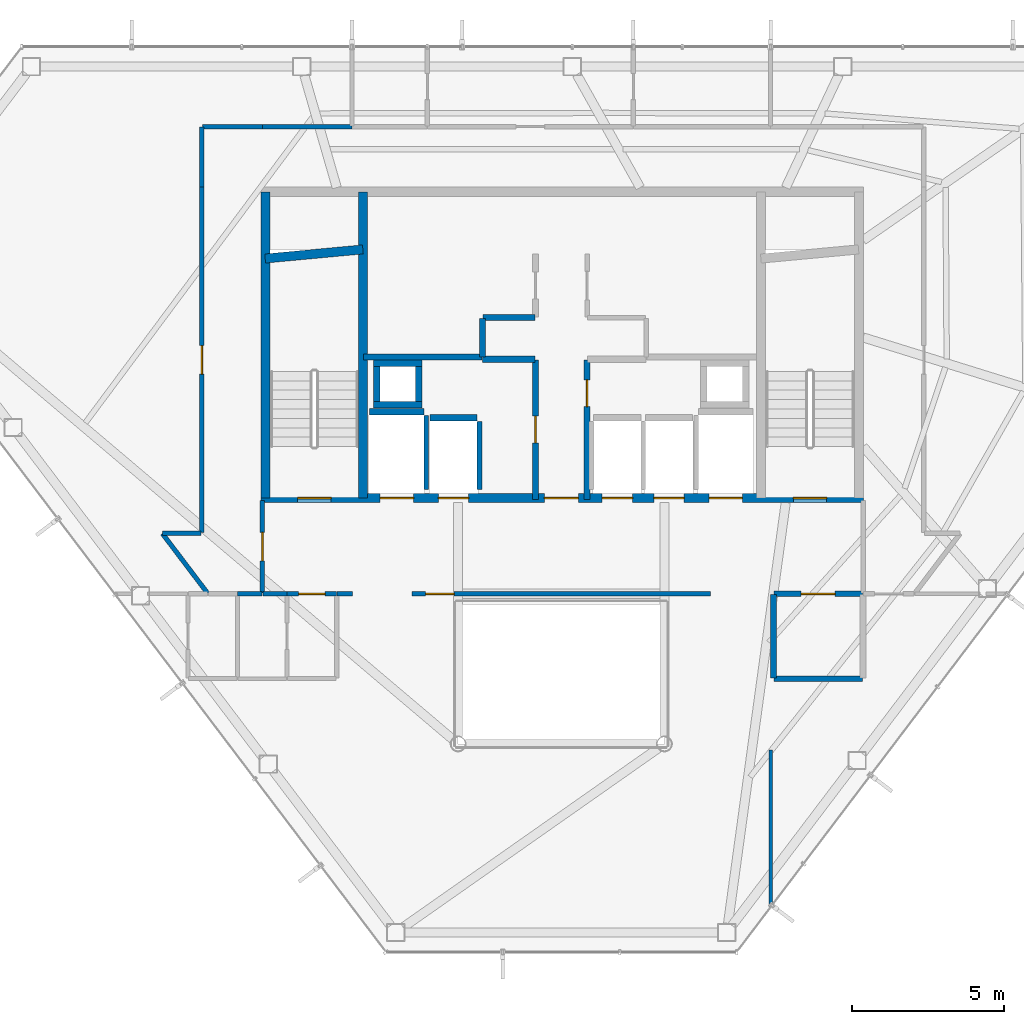
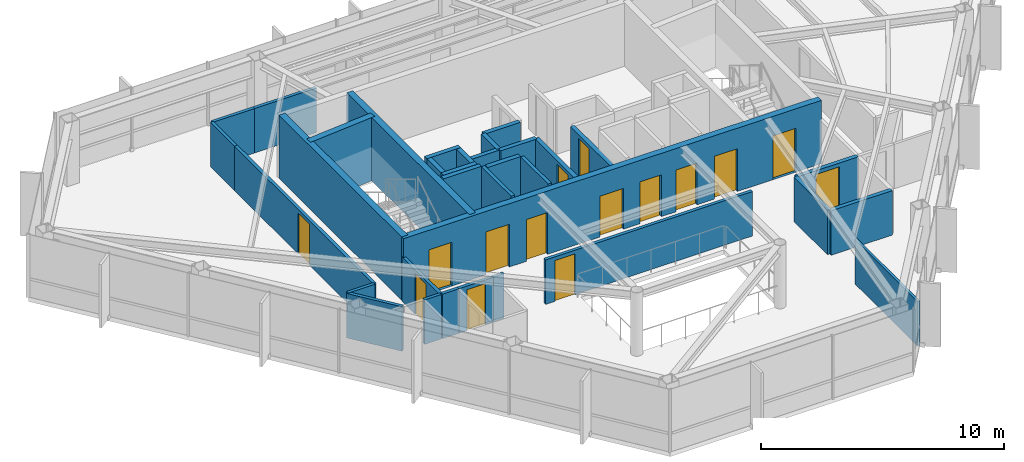
# One storey, part 24 of 27: 34 walls, 15 doors, 15 openings.
"""IFC4 building model written with IfcOpenShell, lengths in metres."""

from ifc_helpers import new_model, si_unit, direction, frame, frame_2d, origin, place, context, subcontext, project, spatial, rectangle, extrude, material, layer, layer_set, type_object, element, fill, save


model = new_model("IFC4")

# Units and contexts
model_context = context("Model", 3, precision=1e-05, world=origin(), true_north=direction((0.0, 1.0)))
body_context = subcontext(model_context, "Body", "Model", "MODEL_VIEW")
ifc_project = project(units=[si_unit("LENGTHUNIT", "METRE"), si_unit("AREAUNIT", "SQUARE_METRE"), si_unit("VOLUMEUNIT", "CUBIC_METRE"), si_unit("PLANEANGLEUNIT", "RADIAN"), si_unit("MASSUNIT", "GRAM", prefix="KILO")], contexts=[model_context])

# Site, building, storey
site_placement = place(None, origin())
site = spatial("IfcSite", under=ifc_project, at=site_placement, CompositionType="ELEMENT")
building_placement = place(site_placement, origin())
building = spatial("IfcBuilding", under=site, at=building_placement, Name="Zarrinselat Tower", CompositionType="ELEMENT")
storey_placement = place(building_placement, frame((0.0, 0.0, 229.159912109375)))
storey = spatial("IfcBuildingStorey", under=building, at=storey_placement, Name="L57", CompositionType="ELEMENT", Elevation=229.159912109375)

# Wall, opening, door
ifc_material_1 = material(Name="Concrete C40/50", Category="concrete")
ifc_layer_1 = layer(ifc_material_1, 0.18994140625)
ifc_layer_set_1 = layer_set([ifc_layer_1], Name="Concrete C40/50")
wall_type_1 = type_object("IfcWallType", Name="WAL-PART-EI120", PredefinedType="PARTITIONING", material=ifc_layer_set_1)
wall_1_placement = place(storey_placement, frame((45.405029296875, 30.14990234375, 0.0), z_axis=(0.0, 0.0, 1.0), x_axis=(1.0, 0.0, 0.0)))
wall_1 = element("IfcWall", 1, at=wall_1_placement, inside=storey, type_object=wall_type_1, Name="L57 Partition Wall 13", PredefinedType="PARTITIONING", context=body_context, shape_type="SweptSolid", body=[
    extrude(rectangle(XDim=2.925048828125, YDim=0.18994140625, at=frame_2d((1.46240234375, 0.0))), origin(), (0.0, 0.0, 1.0), 2.235107421875),
])
opening_1_placement = place(wall_1_placement, frame((0.902587890625, 0.0, 0.0)))
opening_1 = element("IfcOpeningElement", 2, at=opening_1_placement, cuts=wall_1, Name="Opening ID-02", PredefinedType="OPENING", context=body_context, shape_type="SweptSolid", body=[
    extrude(rectangle(XDim=1.1201171875, YDim=2.050048828125, at=frame_2d((0.56005859375, 1.02490234375))), frame((0.0, 0.10498046875, 0.0), z_axis=(0.0, -1.0, 0.0), x_axis=(1.0, 0.0, 0.0)), (0.0, 0.0, 1.0), 0.2099609375),
])
ifc_material_2 = material(Name="Steel S355J2", Category="steel")
door_type_1 = type_object("IfcDoorType", Name="DR-INT-FD60-W", OperationType="NOTDEFINED", PredefinedType="DOOR", material=ifc_material_2)
door_1_placement = place(opening_1_placement, origin())
door_1 = element("IfcDoor", 3, at=door_1_placement, inside=storey, type_object=door_type_1, Name="L57 Interior Door P13", OperationType="SINGLE_SWING_RIGHT", OverallHeight=2.050048828125, OverallWidth=1.1201171875, PredefinedType="DOOR", context=body_context, shape_type="SweptSolid", body=[
    extrude(rectangle(XDim=1.1201171875, YDim=2.050048828125, at=frame_2d((0.56005859375, 1.02490234375))), frame((0.0, 0.02490234375, 0.0), z_axis=(0.0, -1.0, 0.0), x_axis=(1.0, 0.0, 0.0)), (0.0, 0.0, 1.0), 0.050048828125),
])
fill(opening_1, door_1)

# Walls
wall_2_placement = place(storey_placement, frame((45.419921875, 27.35009765625, 0.0), z_axis=(0.0, 0.0, 1.0), x_axis=(1.0, 0.0, 0.0)))
element("IfcWall", 4, at=wall_2_placement, inside=storey, type_object=wall_type_1, Name="L57 Partition Wall 20", PredefinedType="PARTITIONING", context=body_context, shape_type="SweptSolid", body=[
    extrude(rectangle(XDim=2.91015625, YDim=0.18994140625, at=frame_2d((1.455078125, 0.0))), origin(), (0.0, 0.0, 1.0), 2.235107421875),
])
wall_3_placement = place(storey_placement, frame((45.39990234375, 27.3701171875, 0.0), z_axis=(0.0, 0.0, 1.0), x_axis=(0.0, 1.0, 0.0)))
element("IfcWall", 5, at=wall_3_placement, inside=storey, type_object=wall_type_1, Name="L57 Partition Wall 21", PredefinedType="PARTITIONING", context=body_context, shape_type="SweptSolid", body=[
    extrude(rectangle(XDim=2.759765625, YDim=0.18994140625, at=frame_2d((1.3798828125, 0.0))), origin(), (0.0, 0.0, 1.0), 2.235107421875),
])

# Wall, opening, door
ifc_material_3 = material(Name="Fire-Rated Gypsum Board Partition", Category="gypsum")
ifc_layer_2 = layer(ifc_material_3, 0.14990234375)
ifc_layer_set_2 = layer_set([ifc_layer_2], Name="Fire-Rated Gypsum Board Partition")
wall_type_2 = type_object("IfcWallType", Name="WAL-PART-EI60", PredefinedType="PARTITIONING", material=ifc_layer_set_2)
wall_4_placement = place(storey_placement, frame((28.550048828125, 30.169921875, 0.0), z_axis=(0.0, 0.0, 1.0), x_axis=(0.0, 1.0, 0.0)))
wall_4 = element("IfcWall", 6, at=wall_4_placement, inside=storey, type_object=wall_type_2, Name="L57 Partition Wall 14", PredefinedType="PARTITIONING", context=body_context, shape_type="SweptSolid", body=[
    extrude(rectangle(XDim=3.06005859375, YDim=0.14990234375, at=frame_2d((1.530029296875, 0.0))), origin(), (0.0, 0.0, 1.0), 2.235107421875),
])
opening_2_placement = place(wall_4_placement, frame((1.06005859375, 0.0, 0.0)))
opening_2 = element("IfcOpeningElement", 7, at=opening_2_placement, cuts=wall_4, Name="Opening ID-04", PredefinedType="OPENING", context=body_context, shape_type="SweptSolid", body=[
    extrude(rectangle(XDim=0.93994140625, YDim=2.050048828125, at=frame_2d((0.469970703125, 1.02490234375))), frame((0.0, 0.0849609375, 0.0), z_axis=(0.0, -1.0, 0.0), x_axis=(1.0, 0.0, 0.0)), (0.0, 0.0, 1.0), 0.169921875),
])
ifc_material_4 = material(Name="Fire-Rated Gypsum Board Partition")
door_type_2 = type_object("IfcDoorType", Name="DR-INT-FD30-ENT", OperationType="NOTDEFINED", PredefinedType="DOOR", material=ifc_material_4)
door_2_placement = place(opening_2_placement, origin())
door_2 = element("IfcDoor", 8, at=door_2_placement, inside=storey, type_object=door_type_2, Name="L57 Interior Door P14", OperationType="SINGLE_SWING_LEFT", OverallHeight=2.050048828125, OverallWidth=0.93994140625, PredefinedType="DOOR", context=body_context, shape_type="SweptSolid", body=[
    extrude(rectangle(XDim=0.93994140625, YDim=2.050048828125, at=frame_2d((0.469970703125, 1.02490234375))), frame((0.0, 0.02490234375, 0.0), z_axis=(0.0, -1.0, 0.0), x_axis=(1.0, 0.0, 0.0)), (0.0, 0.0, 1.0), 0.050048828125),
])
fill(opening_2, door_2)

wall_5_placement = place(storey_placement, frame((29.364990234375, 30.14990234375, 0.0), z_axis=(0.0, 0.0, 1.0), x_axis=(1.0, 0.0, 0.0)))
wall_5 = element("IfcWall", 9, at=wall_5_placement, inside=storey, type_object=wall_type_2, Name="L57 Partition Wall 16", PredefinedType="PARTITIONING", context=body_context, shape_type="SweptSolid", body=[
    extrude(rectangle(XDim=1.630126953125, YDim=0.14990234375, at=frame_2d((0.81494140625, 0.0))), origin(), (0.0, 0.0, 1.0), 2.235107421875),
])
opening_3_placement = place(wall_5_placement, frame((0.375, 0.0, 0.0)))
opening_3 = element("IfcOpeningElement", 10, at=opening_3_placement, cuts=wall_5, Name="Opening ID-03", PredefinedType="OPENING", context=body_context, shape_type="SweptSolid", body=[
    extrude(rectangle(XDim=0.8798828125, YDim=2.050048828125, at=frame_2d((0.43994140625, 1.02490234375))), frame((0.0, 0.0849609375, 0.0), z_axis=(0.0, -1.0, 0.0), x_axis=(1.0, 0.0, 0.0)), (0.0, 0.0, 1.0), 0.169921875),
])
ifc_material_5 = material(Name="Steel S355J2", Category="steel")
door_type_3 = type_object("IfcDoorType", Name="DR-INT-FD60-S", OperationType="NOTDEFINED", PredefinedType="DOOR", material=ifc_material_5)
door_3_placement = place(opening_3_placement, origin())
door_3 = element("IfcDoor", 11, at=door_3_placement, inside=storey, type_object=door_type_3, Name="L57 Interior Door P16", OperationType="SINGLE_SWING_RIGHT", OverallHeight=2.050048828125, OverallWidth=0.8798828125, PredefinedType="DOOR", context=body_context, shape_type="SweptSolid", body=[
    extrude(rectangle(XDim=0.8798828125, YDim=2.050048828125, at=frame_2d((0.43994140625, 1.02490234375))), frame((0.0, 0.02490234375, 0.0), z_axis=(0.0, -1.0, 0.0), x_axis=(1.0, 0.0, 0.0)), (0.0, 0.0, 1.0), 0.050048828125),
])
fill(opening_3, door_3)

# Wall
wall_6_placement = place(storey_placement, frame((28.570068359375, 30.14990234375, 0.0), z_axis=(0.0, 0.0, 1.0), x_axis=(1.0, 0.0, 0.0)))
element("IfcWall", 12, at=wall_6_placement, inside=storey, type_object=wall_type_2, Name="L57 Partition Wall 17", PredefinedType="PARTITIONING", context=body_context, shape_type="SweptSolid", body=[
    extrude(rectangle(XDim=0.784912109375, YDim=0.14990234375, at=frame_2d((0.392578125, 0.0))), origin(), (0.0, 0.0, 1.0), 2.235107421875),
])

# Wall, opening, door
wall_7_placement = place(storey_placement, frame((33.485107421875, 30.14990234375, 0.0), z_axis=(0.0, 0.0, 1.0), x_axis=(1.0, 0.0, 0.0)))
wall_7 = element("IfcWall", 13, at=wall_7_placement, inside=storey, type_object=wall_type_2, Name="L57 Partition Wall 18", PredefinedType="PARTITIONING", context=body_context, shape_type="SweptSolid", body=[
    extrude(rectangle(XDim=9.829833984375, YDim=0.14990234375, at=frame_2d((4.9150390625, 0.0))), origin(), (0.0, 0.0, 1.0), 2.235107421875),
])
opening_4_placement = place(wall_7_placement, frame((0.445068359375, 0.0, 0.0)))
opening_4 = element("IfcOpeningElement", 14, at=opening_4_placement, cuts=wall_7, Name="Opening ID-04", PredefinedType="OPENING", context=body_context, shape_type="SweptSolid", body=[
    extrude(rectangle(XDim=0.93994140625, YDim=2.050048828125, at=frame_2d((0.469970703125, 1.02490234375))), frame((0.0, 0.0849609375, 0.0), z_axis=(0.0, -1.0, 0.0), x_axis=(1.0, 0.0, 0.0)), (0.0, 0.0, 1.0), 0.169921875),
])
door_4_placement = place(opening_4_placement, origin())
door_4 = element("IfcDoor", 15, at=door_4_placement, inside=storey, type_object=door_type_2, Name="L57 Interior Door P18", OperationType="SINGLE_SWING_LEFT", OverallHeight=2.050048828125, OverallWidth=0.93994140625, PredefinedType="DOOR", context=body_context, shape_type="SweptSolid", body=[
    extrude(rectangle(XDim=0.93994140625, YDim=2.050048828125, at=frame_2d((0.469970703125, 1.02490234375))), frame((0.0, 0.02490234375, 0.0), z_axis=(0.0, -1.0, 0.0), x_axis=(1.0, 0.0, 0.0)), (0.0, 0.0, 1.0), 0.050048828125),
])
fill(opening_4, door_4)

# Walls
wall_8_placement = place(storey_placement, frame((31.0048828125, 30.14990234375, 0.0), z_axis=(0.0, 0.0, 1.0), x_axis=(1.0, 0.0, 0.0)))
element("IfcWall", 16, at=wall_8_placement, inside=storey, type_object=wall_type_2, Name="L57 Partition Wall 19", PredefinedType="PARTITIONING", context=body_context, shape_type="SweptSolid", body=[
    extrude(rectangle(XDim=0.510009765625, YDim=0.14990234375, at=frame_2d((0.2548828125, 0.0))), origin(), (0.0, 0.0, 1.0), 2.235107421875),
])
wall_9_placement = place(storey_placement, frame((27.735107421875, 30.14990234375, 0.0), z_axis=(0.0, 0.0, 1.0), x_axis=(1.0, 0.0, 0.0)))
element("IfcWall", 17, at=wall_9_placement, inside=storey, type_object=wall_type_2, Name="L57 Partition Wall 24", PredefinedType="PARTITIONING", context=body_context, shape_type="SweptSolid", body=[
    extrude(rectangle(XDim=0.794921875, YDim=0.14990234375, at=frame_2d((0.3974609375, 0.0))), origin(), (0.0, 0.0, 1.0), 2.235107421875),
])
wall_10_placement = place(storey_placement, frame((25.251708984375, 32.134033203125, 0.0), z_axis=(0.0, 0.0, 1.0), x_axis=(0.603869110647, -0.797083494502, 0.0)))
element("IfcWall", 18, at=wall_10_placement, inside=storey, type_object=wall_type_2, Name="L57 Partition Wall 26", PredefinedType="PARTITIONING", context=body_context, shape_type="SweptSolid", body=[
    extrude(rectangle(XDim=2.468994140625, YDim=0.14990234375, at=frame_2d((1.234375, 0.0))), origin(), (0.0, 0.0, 1.0), 2.235107421875),
])
wall_11_placement = place(storey_placement, frame((25.259521484375, 32.14990234375, 0.0), z_axis=(0.0, 0.0, 1.0), x_axis=(1.0, 0.0, 0.0)))
element("IfcWall", 19, at=wall_11_placement, inside=storey, type_object=wall_type_2, Name="L57 Partition Wall 27", PredefinedType="PARTITIONING", context=body_context, shape_type="SweptSolid", body=[
    extrude(rectangle(XDim=1.2705078125, YDim=0.14990234375, at=frame_2d((0.63525390625, 0.0))), origin(), (0.0, 0.0, 1.0), 2.235107421875),
])

# Wall, opening, door
wall_12_placement = place(storey_placement, frame((26.550048828125, 32.169921875, 0.0), z_axis=(0.0, 0.0, 1.0), x_axis=(0.0, 1.0, 0.0)))
wall_12 = element("IfcWall", 20, at=wall_12_placement, inside=storey, type_object=wall_type_2, Name="L57 Partition Wall 28", PredefinedType="PARTITIONING", context=body_context, shape_type="SweptSolid", body=[
    extrude(rectangle(XDim=11.380126953125, YDim=0.14990234375, at=frame_2d((5.68994140625, 0.0))), origin(), (0.0, 0.0, 1.0), 2.235107421875),
])
opening_5_placement = place(wall_12_placement, frame((5.219970703125, 0.0, 0.0)))
opening_5 = element("IfcOpeningElement", 21, at=opening_5_placement, cuts=wall_12, Name="Opening ID-04", PredefinedType="OPENING", context=body_context, shape_type="SweptSolid", body=[
    extrude(rectangle(XDim=0.93994140625, YDim=2.050048828125, at=frame_2d((0.469970703125, 1.02490234375))), frame((0.0, 0.0849609375, 0.0), z_axis=(0.0, -1.0, 0.0), x_axis=(1.0, 0.0, 0.0)), (0.0, 0.0, 1.0), 0.169921875),
])
door_5_placement = place(opening_5_placement, origin())
door_5 = element("IfcDoor", 22, at=door_5_placement, inside=storey, type_object=door_type_2, Name="L57 Interior Door P28", OperationType="SINGLE_SWING_LEFT", OverallHeight=2.050048828125, OverallWidth=0.93994140625, PredefinedType="DOOR", context=body_context, shape_type="SweptSolid", body=[
    extrude(rectangle(XDim=0.93994140625, YDim=2.050048828125, at=frame_2d((0.469970703125, 1.02490234375))), frame((0.0, 0.02490234375, 0.0), z_axis=(0.0, -1.0, 0.0), x_axis=(1.0, 0.0, 0.0)), (0.0, 0.0, 1.0), 0.050048828125),
])
fill(opening_5, door_5)

# Walls
for number, where, z_axis, x_axis, name in (
    (23, (26.550048828125, 43.550048828125, 0.0), (0.0, 0.0, 1.0), (0.0, 1.0, 0.0), "L57 Partition Wall 29"),
    (24, (26.570068359375, 45.550048828125, 0.0), (0.0, 0.0, 1.0), (1.0, 0.0, 0.0), "L57 Partition Wall 30"),
):
    element("IfcWall", number, at=place(storey_placement, frame(where, z_axis=z_axis, x_axis=x_axis)), inside=storey, type_object=wall_type_2, Name=name, PredefinedType="PARTITIONING", context=body_context, shape_type="SweptSolid", body=[
        extrude(rectangle(XDim=1.97998046875, YDim=0.14990234375, at=frame_2d((0.989990234375, 0.0))), origin(), (0.0, 0.0, 1.0), 2.235107421875),
    ])
wall_13_placement = place(storey_placement, frame((28.550048828125, 45.550048828125, 0.0), z_axis=(0.0, 0.0, 1.0), x_axis=(1.0, 0.0, 0.0)))
element("IfcWall", 25, at=wall_13_placement, inside=storey, type_object=wall_type_2, Name="L57 Partition Wall 31", PredefinedType="PARTITIONING", context=body_context, shape_type="SweptSolid", body=[
    extrude(rectangle(XDim=2.945068359375, YDim=0.14990234375, at=frame_2d((1.47265625, 0.0))), origin(), (0.0, 0.0, 1.0), 2.235107421875),
])

# Wall, opening, door
ifc_material_6 = material(Name="Concrete C40/50", Category="concrete")
ifc_layer_3 = layer(ifc_material_6, 0.199951171875)
ifc_layer_set_3 = layer_set([ifc_layer_3], Name="Concrete C40/50")
wall_type_3 = type_object("IfcWallType", Name="WAL-PART-PLANT", PredefinedType="PARTITIONING", material=ifc_layer_set_3)
wall_14_placement = place(storey_placement, frame((37.550048828125, 33.264892578125, 0.0), z_axis=(0.0, 0.0, 1.0), x_axis=(0.0, 1.0, 0.0)))
wall_14 = element("IfcWall", 26, at=wall_14_placement, inside=storey, type_object=wall_type_3, Name="L57 Partition Wall 1", PredefinedType="PARTITIONING", context=body_context, shape_type="SweptSolid", body=[
    extrude(rectangle(XDim=4.59521484375, YDim=0.199951171875, at=frame_2d((2.297607421875, 0.0))), origin(), (0.0, 0.0, 1.0), 2.235107421875),
])
opening_6_placement = place(wall_14_placement, frame((1.857421875, 0.0, 0.0)))
opening_6 = element("IfcOpeningElement", 27, at=opening_6_placement, cuts=wall_14, Name="Opening ID-03", PredefinedType="OPENING", context=body_context, shape_type="SweptSolid", body=[
    extrude(rectangle(XDim=0.8798828125, YDim=2.050048828125, at=frame_2d((0.43994140625, 1.02490234375))), frame((0.0, 0.10986328125, 0.0), z_axis=(0.0, -1.0, 0.0), x_axis=(1.0, 0.0, 0.0)), (0.0, 0.0, 1.0), 0.219970703125),
])
door_6_placement = place(opening_6_placement, origin())
door_6 = element("IfcDoor", 28, at=door_6_placement, inside=storey, type_object=door_type_3, Name="L57 Interior Door P1", OperationType="SINGLE_SWING_RIGHT", OverallHeight=2.050048828125, OverallWidth=0.8798828125, PredefinedType="DOOR", context=body_context, shape_type="SweptSolid", body=[
    extrude(rectangle(XDim=0.8798828125, YDim=2.050048828125, at=frame_2d((0.43994140625, 1.02490234375))), frame((0.0, 0.02490234375, 0.0), z_axis=(0.0, -1.0, 0.0), x_axis=(1.0, 0.0, 0.0)), (0.0, 0.0, 1.0), 0.050048828125),
])
fill(opening_6, door_6)

# Walls
wall_15_placement = place(storey_placement, frame((35.800048828125, 37.8798828125, 0.0), z_axis=(0.0, 0.0, 1.0), x_axis=(1.0, 0.0, 0.0)))
element("IfcWall", 29, at=wall_15_placement, inside=storey, type_object=wall_type_3, Name="L57 Partition Wall 2", PredefinedType="PARTITIONING", context=body_context, shape_type="SweptSolid", body=[
    extrude(rectangle(XDim=1.72998046875, YDim=0.199951171875, at=frame_2d((0.864990234375, 0.0))), origin(), (0.0, 0.0, 1.0), 2.235107421875),
])
wall_16_placement = place(storey_placement, frame((35.800048828125, 37.955078125, 0.0), z_axis=(0.0, 0.0, 1.0), x_axis=(0.0, 1.0, 0.0)))
element("IfcWall", 30, at=wall_16_placement, inside=storey, type_object=wall_type_3, Name="L57 Partition Wall 3", PredefinedType="PARTITIONING", context=body_context, shape_type="SweptSolid", body=[
    extrude(rectangle(XDim=1.27490234375, YDim=0.199951171875, at=frame_2d((0.637451171875, 0.0))), origin(), (0.0, 0.0, 1.0), 2.235107421875),
])
wall_17_placement = place(storey_placement, frame((35.820068359375, 39.25, 0.0), z_axis=(0.0, 0.0, 1.0), x_axis=(1.0, 0.0, 0.0)))
element("IfcWall", 31, at=wall_17_placement, inside=storey, type_object=wall_type_3, Name="L57 Partition Wall 4", PredefinedType="PARTITIONING", context=body_context, shape_type="SweptSolid", body=[
    extrude(rectangle(XDim=1.7099609375, YDim=0.199951171875, at=frame_2d((0.85498046875, 0.0))), origin(), (0.0, 0.0, 1.0), 2.235107421875),
])

# Wall, opening, door
wall_18_placement = place(storey_placement, frame((39.25, 33.264892578125, 0.0), z_axis=(0.0, 0.0, 1.0), x_axis=(0.0, 1.0, 0.0)))
wall_18 = element("IfcWall", 32, at=wall_18_placement, inside=storey, type_object=wall_type_3, Name="L57 Partition Wall 7", PredefinedType="PARTITIONING", context=body_context, shape_type="SweptSolid", body=[
    extrude(rectangle(XDim=4.59521484375, YDim=0.199951171875, at=frame_2d((2.297607421875, 0.0))), origin(), (0.0, 0.0, 1.0), 2.235107421875),
])
opening_7_placement = place(wall_18_placement, frame((3.0576171875, 0.0, 0.0)))
opening_7 = element("IfcOpeningElement", 33, at=opening_7_placement, cuts=wall_18, Name="Opening ID-03", PredefinedType="OPENING", context=body_context, shape_type="SweptSolid", body=[
    extrude(rectangle(XDim=0.8798828125, YDim=2.050048828125, at=frame_2d((0.43994140625, 1.02490234375))), frame((0.0, 0.10986328125, 0.0), z_axis=(0.0, -1.0, 0.0), x_axis=(1.0, 0.0, 0.0)), (0.0, 0.0, 1.0), 0.219970703125),
])
door_7_placement = place(opening_7_placement, origin())
door_7 = element("IfcDoor", 34, at=door_7_placement, inside=storey, type_object=door_type_3, Name="L57 Interior Door P7", OperationType="SINGLE_SWING_RIGHT", OverallHeight=2.050048828125, OverallWidth=0.8798828125, PredefinedType="DOOR", context=body_context, shape_type="SweptSolid", body=[
    extrude(rectangle(XDim=0.8798828125, YDim=2.050048828125, at=frame_2d((0.43994140625, 1.02490234375))), frame((0.0, 0.02490234375, 0.0), z_axis=(0.0, -1.0, 0.0), x_axis=(1.0, 0.0, 0.0)), (0.0, 0.0, 1.0), 0.050048828125),
])
fill(opening_7, door_7)

# Walls
wall_19_placement = place(storey_placement, frame((31.885009765625, 37.949951171875, 0.0), z_axis=(0.0, 0.0, 1.0), x_axis=(1.0, 0.0, 0.0)))
element("IfcWall", 35, at=wall_19_placement, inside=storey, type_object=wall_type_3, Name="L57 Partition Wall 11", PredefinedType="PARTITIONING", context=body_context, shape_type="SweptSolid", body=[
    extrude(rectangle(XDim=3.89501953125, YDim=0.199951171875, at=frame_2d((1.947509765625, 0.0))), origin(), (0.0, 0.0, 1.0), 2.235107421875),
])
ifc_material_7 = material(Name="Fire-Rated Gypsum Board Partition", Category="gypsum")
ifc_layer_4 = layer(ifc_material_7, 0.1201171875)
ifc_layer_set_4 = layer_set([ifc_layer_4], Name="Fire-Rated Gypsum Board Partition")
wall_type_4 = type_object("IfcWallType", Name="WAL-PART-STD", PredefinedType="PARTITIONING", material=ifc_layer_set_4)
wall_20_placement = place(storey_placement, frame((45.300048828125, 19.827392578125, 0.0), z_axis=(0.0, 0.0, 1.0), x_axis=(0.0, 1.0, 0.0)))
element("IfcWall", 36, at=wall_20_placement, inside=storey, type_object=wall_type_4, Name="L57 Partition Wall 49", PredefinedType="PARTITIONING", context=body_context, shape_type="SweptSolid", body=[
    extrude(rectangle(XDim=5.172607421875, YDim=0.1201171875, at=frame_2d((2.58642578125, 0.0))), origin(), (0.0, 0.0, 1.0), 2.235107421875),
])
ifc_material_8 = material(Name="Concrete C40/50", Category="concrete")
ifc_layer_5 = layer(ifc_material_8, 0.2099609375)
ifc_layer_set_5 = layer_set([ifc_layer_5], Name="Concrete C40/50")
wall_type_5 = type_object("IfcWallType", Name="WAL-SHAFT-210", PredefinedType="SOLIDWALL", material=ifc_layer_set_5)
wall_21_placement = place(storey_placement, frame((32.080078125, 36.155029296875, 0.0), z_axis=(0.0, 0.0, 1.0), x_axis=(1.0, 0.0, 0.0)))
element("IfcWall", 37, at=wall_21_placement, inside=storey, type_object=wall_type_5, Name="L57 Lift FFL1 North Shaft Wall", PredefinedType="SOLIDWALL", context=body_context, shape_type="SweptSolid", body=[
    extrude(rectangle(XDim=1.7998046875, YDim=0.2099609375, at=frame_2d((0.89990234375, 0.0))), origin(), (0.0, 0.0, 1.0), 3.18017578125),
])
wall_22_placement = place(storey_placement, frame((33.949951171875, 33.580078125, 0.0), z_axis=(0.0, 0.0, 1.0), x_axis=(0.0, 1.0, 0.0)))
element("IfcWall", 38, at=wall_22_placement, inside=storey, type_object=wall_type_5, Name="L57 Lift FFL1 E Shaft Wall", PredefinedType="SOLIDWALL", context=body_context, shape_type="SweptSolid", body=[
    extrude(rectangle(XDim=2.449951171875, YDim=0.159912109375, at=frame_2d((1.22509765625, 0.0))), origin(), (0.0, 0.0, 1.0), 3.18017578125),
])
wall_23_placement = place(storey_placement, frame((34.070068359375, 35.955078125, 0.0), z_axis=(0.0, 0.0, 1.0), x_axis=(1.0, 0.0, 0.0)))
element("IfcWall", 39, at=wall_23_placement, inside=storey, type_object=wall_type_5, Name="L57 Lift PL10 North Shaft Wall", PredefinedType="SOLIDWALL", context=body_context, shape_type="SweptSolid", body=[
    extrude(rectangle(XDim=1.559814453125, YDim=0.2099609375, at=frame_2d((0.77978515625, 0.0))), origin(), (0.0, 0.0, 1.0), 3.18017578125),
])
wall_24_placement = place(storey_placement, frame((35.699951171875, 33.580078125, 0.0), z_axis=(0.0, 0.0, 1.0), x_axis=(0.0, 1.0, 0.0)))
element("IfcWall", 40, at=wall_24_placement, inside=storey, type_object=wall_type_5, Name="L57 Lift PL10 E Shaft Wall", PredefinedType="SOLIDWALL", context=body_context, shape_type="SweptSolid", body=[
    extrude(rectangle(XDim=2.25, YDim=0.159912109375, at=frame_2d((1.125, 0.0))), origin(), (0.0, 0.0, 1.0), 3.18017578125),
])
for number, where, z_axis, x_axis, name in (
    (41, (32.2099609375, 36.375, 0.0), (0.0, 0.0, 1.0), (1.0, 0.0, 0.0), "L57 Core Riser RSR-W S Shaft Wall"),
    (42, (32.2099609375, 37.7451171875, 0.0), (0.0, 0.0, 1.0), (1.0, 0.0, 0.0), "L57 Core Riser RSR-W N Shaft Wall"),
):
    element("IfcWall", number, at=place(storey_placement, frame(where, z_axis=z_axis, x_axis=x_axis)), inside=storey, type_object=wall_type_5, Name=name, PredefinedType="SOLIDWALL", context=body_context, shape_type="SweptSolid", body=[
        extrude(rectangle(XDim=1.60009765625, YDim=0.2099609375, at=frame_2d((0.800048828125, 0.0))), origin(), (0.0, 0.0, 1.0), 3.18017578125),
    ])
for number, where, z_axis, x_axis, name in (
    (43, (32.31494140625, 36.485107421875, 0.0), (0.0, 0.0, 1.0), (0.0, 1.0, 0.0), "L57 Core Riser RSR-W W Shaft Wall"),
    (44, (33.705078125, 36.485107421875, 0.0), (0.0, 0.0, 1.0), (0.0, 1.0, 0.0), "L57 Core Riser RSR-W E Shaft Wall"),
):
    element("IfcWall", number, at=place(storey_placement, frame(where, z_axis=z_axis, x_axis=x_axis)), inside=storey, type_object=wall_type_5, Name=name, PredefinedType="SOLIDWALL", context=body_context, shape_type="SweptSolid", body=[
        extrude(rectangle(XDim=1.14990234375, YDim=0.2099609375, at=frame_2d((0.574951171875, 0.0))), origin(), (0.0, 0.0, 1.0), 3.18017578125),
    ])

# Wall, openings, doors
ifc_material_9 = material(Name="Concrete C40/50", Category="concrete")
ifc_layer_6 = layer(ifc_material_9, 0.300048828125)
ifc_layer_set_6 = layer_set([ifc_layer_6], Name="Concrete C40/50")
wall_type_6 = type_object("IfcWallType", Name="WAL-SHEAR-300", PredefinedType="SHEAR", material=ifc_layer_set_6)
wall_25_placement = place(storey_placement, frame((28.5, 33.300048828125, 0.0), z_axis=(0.0, 0.0, 1.0), x_axis=(1.0, 0.0, 0.0)))
wall_25 = element("IfcWall", 45, at=wall_25_placement, inside=storey, type_object=wall_type_6, Name="L57 South Core Shear Wall", PredefinedType="SHEAR", context=body_context, shape_type="SweptSolid", body=[
    extrude(rectangle(XDim=19.860107421875, YDim=0.300048828125, at=frame_2d((9.93017578125, 0.0))), origin(), (0.0, 0.0, 1.0), 3.18017578125),
])
opening_8_placement = place(wall_25_placement, frame((3.929931640625, 0.0, 0.0)))
opening_8 = element("IfcOpeningElement", 46, at=opening_8_placement, cuts=wall_25, Name="Opening LD-FFL1", PredefinedType="OPENING", context=body_context, shape_type="SweptSolid", body=[
    extrude(rectangle(XDim=1.10009765625, YDim=2.14990234375, at=frame_2d((0.550048828125, 1.074951171875))), frame((0.0, 0.159912109375, 0.0), z_axis=(0.0, -1.0, 0.0), x_axis=(1.0, 0.0, 0.0)), (0.0, 0.0, 1.0), 0.320068359375),
])
opening_9_placement = place(wall_25_placement, frame((14.77001953125, 0.0, 0.0)))
opening_9 = element("IfcOpeningElement", 47, at=opening_9_placement, cuts=wall_25, Name="Opening LD-FFL2", PredefinedType="OPENING", context=body_context, shape_type="SweptSolid", body=[
    extrude(rectangle(XDim=1.10009765625, YDim=2.14990234375, at=frame_2d((0.550048828125, 1.074951171875))), frame((0.0, 0.159912109375, 0.0), z_axis=(0.0, -1.0, 0.0), x_axis=(1.0, 0.0, 0.0)), (0.0, 0.0, 1.0), 0.320068359375),
])
opening_10_placement = place(wall_25_placement, frame((11.25, 0.0, 0.0)))
opening_10 = element("IfcOpeningElement", 48, at=opening_10_placement, cuts=wall_25, Name="Opening LD-PL8", PredefinedType="OPENING", context=body_context, shape_type="SweptSolid", body=[
    extrude(rectangle(XDim=1.0, YDim=2.10009765625, at=frame_2d((0.5, 1.050048828125))), frame((0.0, 0.159912109375, 0.0), z_axis=(0.0, -1.0, 0.0), x_axis=(1.0, 0.0, 0.0)), (0.0, 0.0, 1.0), 0.320068359375),
])
opening_11_placement = place(wall_25_placement, frame((12.949951171875, 0.0, 0.0)))
opening_11 = element("IfcOpeningElement", 49, at=opening_11_placement, cuts=wall_25, Name="Opening LD-PL9", PredefinedType="OPENING", context=body_context, shape_type="SweptSolid", body=[
    extrude(rectangle(XDim=1.0, YDim=2.10009765625, at=frame_2d((0.5, 1.050048828125))), frame((0.0, 0.159912109375, 0.0), z_axis=(0.0, -1.0, 0.0), x_axis=(1.0, 0.0, 0.0)), (0.0, 0.0, 1.0), 0.320068359375),
])
opening_12_placement = place(wall_25_placement, frame((5.85009765625, 0.0, 0.0)))
opening_12 = element("IfcOpeningElement", 50, at=opening_12_placement, cuts=wall_25, Name="Opening LD-PL10", PredefinedType="OPENING", context=body_context, shape_type="SweptSolid", body=[
    extrude(rectangle(XDim=1.0, YDim=2.10009765625, at=frame_2d((0.5, 1.050048828125))), frame((0.0, 0.159912109375, 0.0), z_axis=(0.0, -1.0, 0.0), x_axis=(1.0, 0.0, 0.0)), (0.0, 0.0, 1.0), 0.320068359375),
])
opening_13_placement = place(wall_25_placement, frame((1.2099609375, 0.0, 0.0)))
opening_13 = element("IfcOpeningElement", 51, at=opening_13_placement, cuts=wall_25, Name="Opening SD-01", PredefinedType="OPENING", context=body_context, shape_type="SweptSolid", body=[
    extrude(rectangle(XDim=1.10009765625, YDim=2.199951171875, at=frame_2d((0.550048828125, 1.10009765625))), frame((0.0, 0.159912109375, 0.0), z_axis=(0.0, -1.0, 0.0), x_axis=(1.0, 0.0, 0.0)), (0.0, 0.0, 1.0), 0.320068359375),
])
opening_14_placement = place(wall_25_placement, frame((9.340087890625, 0.0, 0.0)))
opening_14 = element("IfcOpeningElement", 52, at=opening_14_placement, cuts=wall_25, Name="Opening ID-02", PredefinedType="OPENING", context=body_context, shape_type="SweptSolid", body=[
    extrude(rectangle(XDim=1.1201171875, YDim=2.050048828125, at=frame_2d((0.56005859375, 1.02490234375))), frame((0.0, 0.159912109375, 0.0), z_axis=(0.0, -1.0, 0.0), x_axis=(1.0, 0.0, 0.0)), (0.0, 0.0, 1.0), 0.320068359375),
])
opening_15_placement = place(wall_25_placement, frame((17.550048828125, 0.0, 0.0)))
opening_15 = element("IfcOpeningElement", 53, at=opening_15_placement, cuts=wall_25, Name="Opening SD-01", PredefinedType="OPENING", context=body_context, shape_type="SweptSolid", body=[
    extrude(rectangle(XDim=1.10009765625, YDim=2.199951171875, at=frame_2d((0.550048828125, 1.10009765625))), frame((0.0, 0.159912109375, 0.0), z_axis=(0.0, -1.0, 0.0), x_axis=(1.0, 0.0, 0.0)), (0.0, 0.0, 1.0), 0.320068359375),
])
door_8_placement = place(opening_14_placement, origin())
door_8 = element("IfcDoor", 54, at=door_8_placement, inside=storey, type_object=door_type_1, Name="L57 Core Service Vestibule Fire Door", OperationType="SINGLE_SWING_LEFT", OverallHeight=2.050048828125, OverallWidth=1.1201171875, PredefinedType="DOOR", context=body_context, shape_type="SweptSolid", body=[
    extrude(rectangle(XDim=1.1201171875, YDim=2.050048828125, at=frame_2d((0.56005859375, 1.02490234375))), frame((0.0, 0.02490234375, 0.0), z_axis=(0.0, -1.0, 0.0), x_axis=(1.0, 0.0, 0.0)), (0.0, 0.0, 1.0), 0.050048828125),
])
fill(opening_14, door_8)
ifc_material_10 = material(Name="Steel S355J2", Category="steel")
door_type_4 = type_object("IfcDoorType", Name="DR-LIFT-FF-1100", OperationType="NOTDEFINED", PredefinedType="DOOR", material=ifc_material_10)
door_9_placement = place(opening_8_placement, origin())
door_9 = element("IfcDoor", 55, at=door_9_placement, inside=storey, type_object=door_type_4, Name="L57 Lift FFL1 Sliding Landing Door", OperationType="SLIDING_TO_LEFT", OverallHeight=2.14990234375, OverallWidth=1.10009765625, PredefinedType="DOOR", context=body_context, shape_type="SweptSolid", body=[
    extrude(rectangle(XDim=1.10009765625, YDim=2.14990234375, at=frame_2d((0.550048828125, 1.074951171875))), frame((0.0, 0.02490234375, 0.0), z_axis=(0.0, -1.0, 0.0), x_axis=(1.0, 0.0, 0.0)), (0.0, 0.0, 1.0), 0.050048828125),
])
fill(opening_8, door_9)
door_10_placement = place(opening_9_placement, origin())
door_10 = element("IfcDoor", 56, at=door_10_placement, inside=storey, type_object=door_type_4, Name="L57 Lift FFL2 Sliding Landing Door", OperationType="SLIDING_TO_RIGHT", OverallHeight=2.14990234375, OverallWidth=1.10009765625, PredefinedType="DOOR", context=body_context, shape_type="SweptSolid", body=[
    extrude(rectangle(XDim=1.10009765625, YDim=2.14990234375, at=frame_2d((0.550048828125, 1.074951171875))), frame((0.0, 0.02490234375, 0.0), z_axis=(0.0, -1.0, 0.0), x_axis=(1.0, 0.0, 0.0)), (0.0, 0.0, 1.0), 0.050048828125),
])
fill(opening_9, door_10)
ifc_material_11 = material(Name="Steel S355J2", Category="steel")
door_type_5 = type_object("IfcDoorType", Name="DR-LIFT-PS-1000", OperationType="NOTDEFINED", PredefinedType="DOOR", material=ifc_material_11)
door_11_placement = place(opening_10_placement, origin())
door_11 = element("IfcDoor", 57, at=door_11_placement, inside=storey, type_object=door_type_5, Name="L57 Lift PL8 Sliding Landing Door", OperationType="SLIDING_TO_RIGHT", OverallHeight=2.10009765625, OverallWidth=1.0, PredefinedType="DOOR", context=body_context, shape_type="SweptSolid", body=[
    extrude(rectangle(XDim=1.0, YDim=2.10009765625, at=frame_2d((0.5, 1.050048828125))), frame((0.0, 0.02490234375, 0.0), z_axis=(0.0, -1.0, 0.0), x_axis=(1.0, 0.0, 0.0)), (0.0, 0.0, 1.0), 0.050048828125),
])
fill(opening_10, door_11)
door_12_placement = place(opening_11_placement, origin())
door_12 = element("IfcDoor", 58, at=door_12_placement, inside=storey, type_object=door_type_5, Name="L57 Lift PL9 Sliding Landing Door", OperationType="SLIDING_TO_LEFT", OverallHeight=2.10009765625, OverallWidth=1.0, PredefinedType="DOOR", context=body_context, shape_type="SweptSolid", body=[
    extrude(rectangle(XDim=1.0, YDim=2.10009765625, at=frame_2d((0.5, 1.050048828125))), frame((0.0, 0.02490234375, 0.0), z_axis=(0.0, -1.0, 0.0), x_axis=(1.0, 0.0, 0.0)), (0.0, 0.0, 1.0), 0.050048828125),
])
fill(opening_11, door_12)
door_13_placement = place(opening_12_placement, origin())
door_13 = element("IfcDoor", 59, at=door_13_placement, inside=storey, type_object=door_type_5, Name="L57 Lift PL10 Sliding Landing Door", OperationType="SLIDING_TO_RIGHT", OverallHeight=2.10009765625, OverallWidth=1.0, PredefinedType="DOOR", context=body_context, shape_type="SweptSolid", body=[
    extrude(rectangle(XDim=1.0, YDim=2.10009765625, at=frame_2d((0.5, 1.050048828125))), frame((0.0, 0.02490234375, 0.0), z_axis=(0.0, -1.0, 0.0), x_axis=(1.0, 0.0, 0.0)), (0.0, 0.0, 1.0), 0.050048828125),
])
fill(opening_12, door_13)
ifc_material_12 = material(Name="Steel S355J2", Category="steel")
door_type_6 = type_object("IfcDoorType", Name="DR-STAIR-1100", OperationType="NOTDEFINED", PredefinedType="DOOR", material=ifc_material_12)
door_14_placement = place(opening_13_placement, origin())
door_14 = element("IfcDoor", 60, at=door_14_placement, inside=storey, type_object=door_type_6, Name="L57 Exit Stair 1 Fire Door", OperationType="SINGLE_SWING_LEFT", OverallHeight=2.199951171875, OverallWidth=1.10009765625, PredefinedType="DOOR", context=body_context, shape_type="SweptSolid", body=[
    extrude(rectangle(XDim=1.10009765625, YDim=2.199951171875, at=frame_2d((0.550048828125, 1.10009765625))), frame((0.0, 0.02490234375, 0.0), z_axis=(0.0, -1.0, 0.0), x_axis=(1.0, 0.0, 0.0)), (0.0, 0.0, 1.0), 0.050048828125),
])
fill(opening_13, door_14)
door_15_placement = place(opening_15_placement, origin())
door_15 = element("IfcDoor", 61, at=door_15_placement, inside=storey, type_object=door_type_6, Name="L57 Exit Stair 2 Fire Door", OperationType="SINGLE_SWING_RIGHT", OverallHeight=2.199951171875, OverallWidth=1.10009765625, PredefinedType="DOOR", context=body_context, shape_type="SweptSolid", body=[
    extrude(rectangle(XDim=1.10009765625, YDim=2.199951171875, at=frame_2d((0.550048828125, 1.10009765625))), frame((0.0, 0.02490234375, 0.0), z_axis=(0.0, -1.0, 0.0), x_axis=(1.0, 0.0, 0.0)), (0.0, 0.0, 1.0), 0.050048828125),
])
fill(opening_15, door_15)

# Walls
for number, where, z_axis, x_axis, name in (
    (62, (28.64990234375, 33.300048828125, 0.0), (0.0, 0.0, 1.0), (0.0, 1.0, 0.0), "L57 Core Shear Wall W"),
    (63, (31.8701171875, 33.300048828125, 0.0), (0.0, 0.0, 1.0), (0.0, 1.0, 0.0), "L57 Core Shear Wall ST1E"),
):
    element("IfcWall", number, at=place(storey_placement, frame(where, z_axis=z_axis, x_axis=x_axis)), inside=storey, type_object=wall_type_6, Name=name, PredefinedType="SHEAR", context=body_context, shape_type="SweptSolid", body=[
        extrude(rectangle(XDim=10.099853515625, YDim=0.300048828125, at=frame_2d((5.0498046875, 0.0))), origin(), (0.0, 0.0, 1.0), 3.18017578125),
    ])
wall_26_placement = place(storey_placement, frame((28.639892578125, 41.199951171875, 0.0), z_axis=(0.0, 0.0, 1.0), x_axis=(0.995687118776, 0.092774789157, 0.0)))
element("IfcWall", 64, at=wall_26_placement, inside=storey, type_object=wall_type_6, Name="L57 Stair 1 North Shaft Wall", PredefinedType="SHEAR", context=body_context, shape_type="SweptSolid", body=[
    extrude(rectangle(XDim=3.234130859375, YDim=0.300048828125, at=frame_2d((1.6171875, 0.0))), origin(), (0.0, 0.0, 1.0), 3.18017578125),
])

save(model, "model.ifc")
